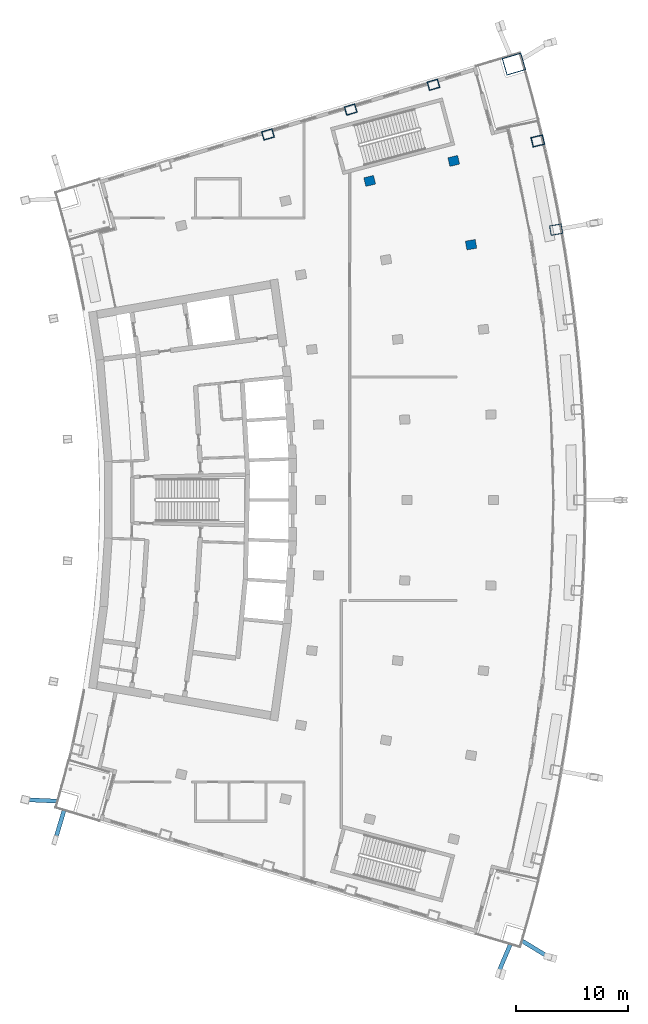
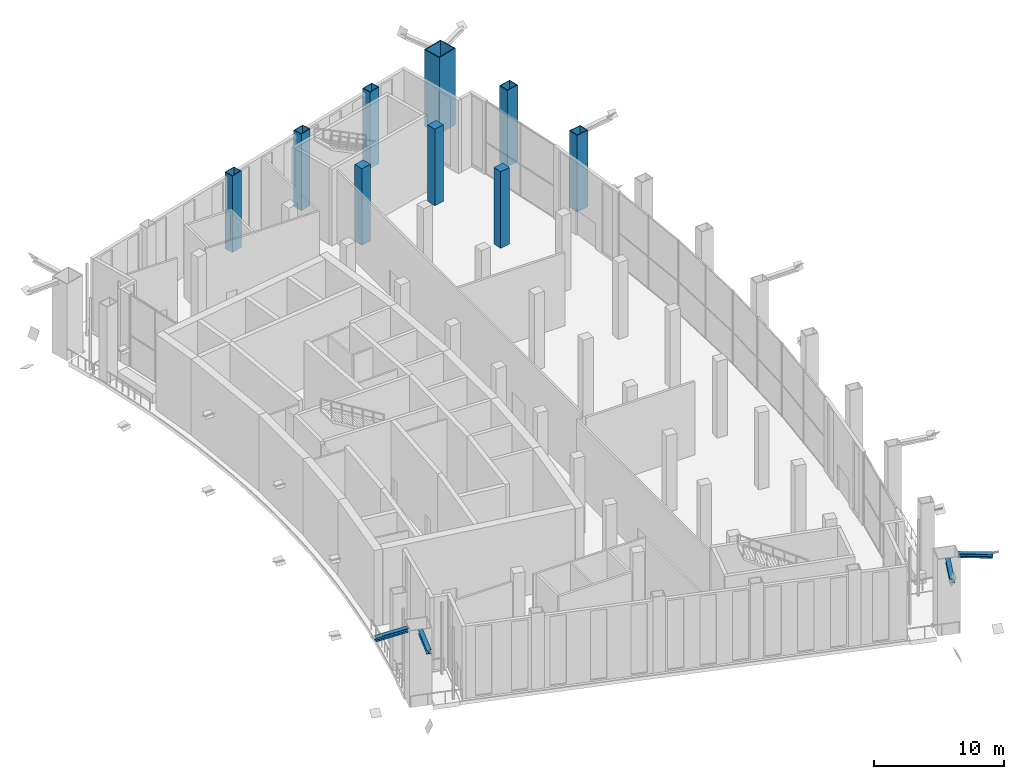
# One storey, part 8 of 26: 9 columns, 4 members.
"""IFC4 building model written with IfcOpenShell, lengths in metres."""

from ifc_helpers import new_model, si_unit, direction, frame, origin, origin_2d, place, context, subcontext, project, spatial, rectangle, hollow_rectangle, i_section, extrude, material, material_profile, profile_set, type_object, element, save


model = new_model("IFC4")

# Units and contexts
model_context = context("Model", 3, precision=1e-05, world=origin(), true_north=direction((0.0, 1.0)))
body_context = subcontext(model_context, "Body", "Model", "MODEL_VIEW")
ifc_project = project(units=[si_unit("LENGTHUNIT", "METRE"), si_unit("AREAUNIT", "SQUARE_METRE"), si_unit("VOLUMEUNIT", "CUBIC_METRE"), si_unit("PLANEANGLEUNIT", "RADIAN"), si_unit("MASSUNIT", "GRAM", prefix="KILO")], contexts=[model_context])

# Site, building, storey
site_placement = place(None, origin())
site = spatial("IfcSite", under=ifc_project, at=site_placement, CompositionType="ELEMENT")
building_placement = place(site_placement, origin())
building = spatial("IfcBuilding", under=site, at=building_placement, Name="Alderwake Tower", CompositionType="ELEMENT")
storey_placement = place(building_placement, frame((0.0, 0.0, 182.0)))
storey = spatial("IfcBuildingStorey", under=building, at=storey_placement, Name="L45", CompositionType="ELEMENT", Elevation=182.0)

# Columns
ifc_material_1 = material(Name="Steel ASTM A572 Grade 50 concrete filled C70/85", Category="concrete")
ifc_material_profile_1 = material_profile(ifc_material_1, hollow_rectangle(XDim=0.800048828125, YDim=1.0, WallThickness=0.054931640625, at=origin_2d()), Name="BOX 1000X800X55")
ifc_profile_set_1 = profile_set([ifc_material_profile_1], Name="Steel ASTM A572 Grade 50 concrete filled C70/85")
column_type_1 = type_object("IfcColumnType", Name="End column Z3", PredefinedType="COLUMN", material=ifc_profile_set_1)
for number, where, z_axis, x_axis, name in (
    (1, (31.080322265625, 93.72314453125, 0.0), (0.0, 0.0, 1.0), (-0.282582549822, 0.959242984095, 0.0), "Column R12-C2"),
    (2, (38.487060546875, 95.94677734375, 0.0), (0.0, 0.0, 1.0), (-0.282893935167, 0.959151198428, 0.0), "Column R12-C3"),
    (3, (45.89404296875, 98.17041015625, 0.0), (0.0, 0.0, 1.0), (-0.283168465256, 0.959070185276, 0.0), "Column R12-C4"),
):
    element("IfcColumn", number, at=place(storey_placement, frame(where, z_axis=z_axis, x_axis=x_axis)), inside=storey, type_object=column_type_1, Name=name, PredefinedType="COLUMN", context=body_context, shape_type="SweptSolid", body=[
        extrude(hollow_rectangle(XDim=0.800048828125, YDim=1.0, WallThickness=0.054931640625, at=origin_2d()), origin(), (0.0, 0.0, 1.0), 7.199951171875),
    ])
ifc_material_2 = material(Name="Concrete C70/85", Category="concrete")
ifc_material_profile_2 = material_profile(ifc_material_2, rectangle(XDim=0.800048828125, YDim=0.89990234375, at=origin_2d()), Name="RC 900X800")
ifc_profile_set_2 = profile_set([ifc_material_profile_2], Name="Concrete C70/85")
column_type_2 = type_object("IfcColumnType", Name="Interior column Z3", PredefinedType="COLUMN", material=ifc_profile_set_2)
for number, where, z_axis, x_axis, name in (
    (4, (49.26171875, 83.8544921875, 0.0), (0.0, 0.0, 1.0), (-0.174108800747, 0.984726421654, 0.0), "Column R10-C4"),
    (5, (40.185791015625, 89.563720703125, 0.0), (0.0, 0.0, 1.0), (-0.231221547198, 0.972901123502, 0.0), "Column R11-C3"),
    (6, (47.70947265625, 91.351806640625, 0.0), (0.0, 0.0, 1.0), (-0.231221547198, 0.972901123502, 0.0), "Column R11-C4"),
):
    element("IfcColumn", number, at=place(storey_placement, frame(where, z_axis=z_axis, x_axis=x_axis)), inside=storey, type_object=column_type_2, Name=name, PredefinedType="COLUMN", context=body_context, shape_type="SweptSolid", body=[
        extrude(rectangle(XDim=0.800048828125, YDim=0.89990234375, at=origin_2d()), origin(), (0.0, 0.0, 1.0), 7.199951171875),
    ])
ifc_material_3 = material(Name="Steel ASTM A572 Grade 50 concrete filled C70/85", Category="concrete")
ifc_material_profile_3 = material_profile(ifc_material_3, hollow_rectangle(XDim=1.60009765625, YDim=1.800048828125, WallThickness=0.080078125, at=origin_2d()), Name="BOX 1800X1600X80")
ifc_profile_set_3 = profile_set([ifc_material_profile_3], Name="Steel ASTM A572 Grade 50 concrete filled C70/85")
column_type_3 = type_object("IfcColumnType", Name="Mega column Z3", PredefinedType="COLUMN", material=ifc_profile_set_3)
column_placement = place(storey_placement, frame((53.09765625, 100.022216796875, 0.0), z_axis=(0.0, 0.0, 1.0), x_axis=(-0.281341735468, 0.959607642677, 0.0)))
element("IfcColumn", 7, at=column_placement, inside=storey, type_object=column_type_3, Name="Column R12-C5", PredefinedType="COLUMN", context=body_context, shape_type="SweptSolid", body=[
    extrude(hollow_rectangle(XDim=1.60009765625, YDim=1.800048828125, WallThickness=0.080078125, at=origin_2d()), origin(), (0.0, 0.0, 1.0), 7.199951171875),
])
ifc_material_4 = material(Name="Steel ASTM A572 Grade 50 concrete filled C70/85", Category="concrete")
ifc_material_profile_4 = material_profile(ifc_material_4, hollow_rectangle(XDim=0.89990234375, YDim=1.10009765625, WallThickness=0.06005859375, at=origin_2d()), Name="BOX 1100X900X60")
ifc_profile_set_4 = profile_set([ifc_material_profile_4], Name="Steel ASTM A572 Grade 50 concrete filled C70/85")
column_type_4 = type_object("IfcColumnType", Name="Perimeter column Z3", PredefinedType="COLUMN", material=ifc_profile_set_4)
for number, where, z_axis, x_axis, name in (
    (8, (56.876953125, 85.200927734375, 0.0), (0.0, 0.0, 1.0), (-0.174107082075, 0.984726725529, 0.0), "Column R10-C5"),
    (9, (55.233154296875, 93.139892578125, 0.0), (0.0, 0.0, 1.0), (-0.231221547198, 0.972901123502, 0.0), "Column R11-C5"),
):
    element("IfcColumn", number, at=place(storey_placement, frame(where, z_axis=z_axis, x_axis=x_axis)), inside=storey, type_object=column_type_4, Name=name, PredefinedType="COLUMN", context=body_context, shape_type="SweptSolid", body=[
        extrude(hollow_rectangle(XDim=0.89990234375, YDim=1.10009765625, WallThickness=0.06005859375, at=origin_2d()), origin(), (0.0, 0.0, 1.0), 7.199951171875),
    ])

# Members
ifc_material_5 = material(Name="Steel ASTM A992 Grade 50", Category="steel")
ifc_material_profile_5 = material_profile(ifc_material_5, i_section(OverallWidth=0.3740234375, OverallDepth=0.372314453125, WebThickness=0.016357421875, FlangeThickness=0.026123046875, at=origin_2d()), Name="W14X132")
ifc_profile_set_5 = profile_set([ifc_material_profile_5], Name="Steel ASTM A992 Grade 50")
member_type = type_object("IfcMemberType", Name="Brace node stub W14X132", PredefinedType="MEMBER", material=ifc_profile_set_5)
member_1_placement = place(storey_placement, frame((53.8505859375, 21.519287109375, 6.993896484375), z_axis=(0.854057445096, -0.520178700521, 0.0), x_axis=(0.520178700521, 0.854057445096, 0.0)))
element("IfcMember", 10, at=member_1_placement, inside=storey, type_object=member_type, Name="Brace node stub BS.FR02-C5.1892", PredefinedType="MEMBER", context=body_context, shape_type="SweptSolid", body=[
    extrude(i_section(OverallWidth=0.3740234375, OverallDepth=0.372314453125, WebThickness=0.016357421875, FlangeThickness=0.026123046875, at=origin_2d()), origin(), (0.0, 0.0, 1.0), 2.67333984375),
])
member_2_placement = place(storey_placement, frame((12.188232421875, 34.04248046875, 6.993896484375), z_axis=(-0.998959275169, 0.045611035436, 0.0), x_axis=(-0.045611035436, -0.998959275169, 0.0)))
element("IfcMember", 11, at=member_2_placement, inside=storey, type_object=member_type, Name="Brace node stub BS.RR02-C0.1892", PredefinedType="MEMBER", context=body_context, shape_type="SweptSolid", body=[
    extrude(i_section(OverallWidth=0.3740234375, OverallDepth=0.372314453125, WebThickness=0.016357421875, FlangeThickness=0.026123046875, at=origin_2d()), origin(), (0.0, 0.0, 1.0), 2.83154296875),
])
member_3_placement = place(storey_placement, frame((12.848388671875, 33.28369140625, 6.993896484375), z_axis=(-0.286523380206, -0.95807325012, 0.0), x_axis=(0.95807325012, -0.286523380206, 0.0)))
element("IfcMember", 12, at=member_3_placement, inside=storey, type_object=member_type, Name="Brace node stub BS.SR02-C0.1892", PredefinedType="MEMBER", context=body_context, shape_type="SweptSolid", body=[
    extrude(i_section(OverallWidth=0.3740234375, OverallDepth=0.372314453125, WebThickness=0.016357421875, FlangeThickness=0.026123046875, at=origin_2d()), origin(), (0.0, 0.0, 1.0), 2.852783203125),
])
member_4_placement = place(storey_placement, frame((52.80224609375, 21.28271484375, 6.993896484375), z_axis=(-0.390851868324, -0.920453593087, 0.0), x_axis=(0.920453593087, -0.390851868324, 0.0)))
element("IfcMember", 13, at=member_4_placement, inside=storey, type_object=member_type, Name="Brace node stub BS.SR02-C5.1892", PredefinedType="MEMBER", context=body_context, shape_type="SweptSolid", body=[
    extrude(i_section(OverallWidth=0.3740234375, OverallDepth=0.372314453125, WebThickness=0.016357421875, FlangeThickness=0.026123046875, at=origin_2d()), origin(), (0.0, 0.0, 1.0), 2.864501953125),
])

save(model, "model.ifc")
